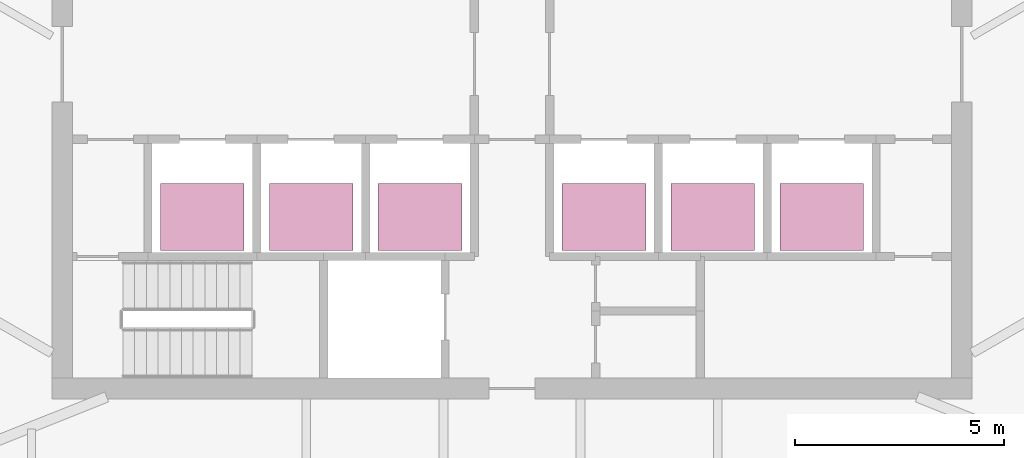
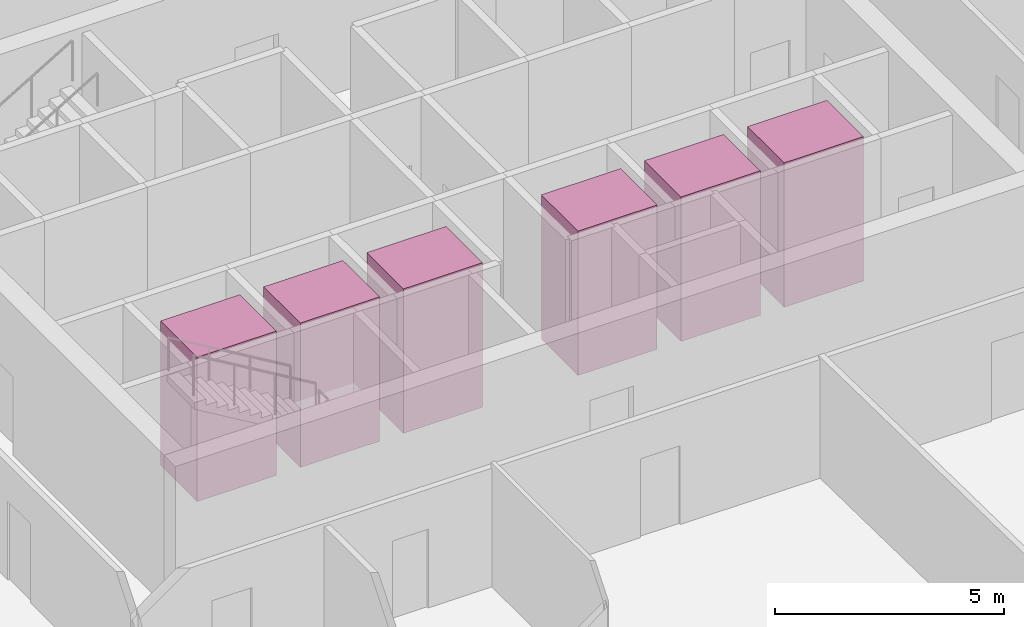
# One storey, part 17 of 17: 6 transport elements.
"""IFC4 building model written with IfcOpenShell, lengths in metres."""

from ifc_helpers import new_model, si_unit, direction, frame, origin, origin_2d, place, context, subcontext, project, spatial, rectangle, extrude, material, type_object, element, save


model = new_model("IFC4")

# Units and contexts
model_context = context("Model", 3, precision=1e-05, world=origin(), true_north=direction((0.0, 1.0)))
body_context = subcontext(model_context, "Body", "Model", "MODEL_VIEW")
ifc_project = project(units=[si_unit("LENGTHUNIT", "METRE"), si_unit("AREAUNIT", "SQUARE_METRE"), si_unit("VOLUMEUNIT", "CUBIC_METRE"), si_unit("PLANEANGLEUNIT", "RADIAN"), si_unit("MASSUNIT", "GRAM", prefix="KILO")], contexts=[model_context])

# Site, building, storey
site_placement = place(None, origin())
site = spatial("IfcSite", under=ifc_project, at=site_placement, CompositionType="ELEMENT")
building_placement = place(site_placement, origin())
building = spatial("IfcBuilding", under=site, at=building_placement, Name="Sierra Prisma Convention Tower", CompositionType="ELEMENT")
storey_placement = place(building_placement, frame((0.0, 0.0, 201.800048828125)))
storey = spatial("IfcBuildingStorey", under=building, at=storey_placement, Name="L45", CompositionType="ELEMENT", Elevation=201.800048828125)

# Transport elements
ifc_material = material(Name="Stainless steel", Category="steel")
transport_element_type = type_object("IfcTransportElementType", Name="Lift car office low 2000x1600 1600 kg", PredefinedType="ELEVATOR", material=ifc_material)
for number, where, z_axis, x_axis, name in (
    (1, (-7.39990234375, -3.64990234375, 0.0), (0.0, 0.0, 1.0), (1.0, 0.0, 0.0), "Lift OL1"),
    (2, (-4.800048828125, -3.64990234375, 0.0), (0.0, 0.0, 1.0), (1.0, 0.0, 0.0), "Lift OL2"),
    (3, (-2.199951171875, -3.64990234375, 0.0), (0.0, 0.0, 1.0), (1.0, 0.0, 0.0), "Lift OL3"),
    (4, (2.199951171875, -3.64990234375, 0.0), (0.0, 0.0, 1.0), (1.0, 0.0, 0.0), "Lift OL4"),
    (5, (4.800048828125, -3.64990234375, 0.0), (0.0, 0.0, 1.0), (1.0, 0.0, 0.0), "Lift OL5"),
    (6, (7.39990234375, -3.64990234375, 0.0), (0.0, 0.0, 1.0), (1.0, 0.0, 0.0), "Lift OL6"),
):
    element("IfcTransportElement", number, at=place(storey_placement, frame(where, z_axis=z_axis, x_axis=x_axis)), inside=storey, type_object=transport_element_type, Name=name, PredefinedType="ELEVATOR", context=body_context, shape_type="SweptSolid", body=[
        extrude(rectangle(XDim=2.0, YDim=1.60009765625, at=origin_2d()), origin(), (0.0, 0.0, 1.0), 3.85009765625),
    ])

save(model, "model.ifc")
